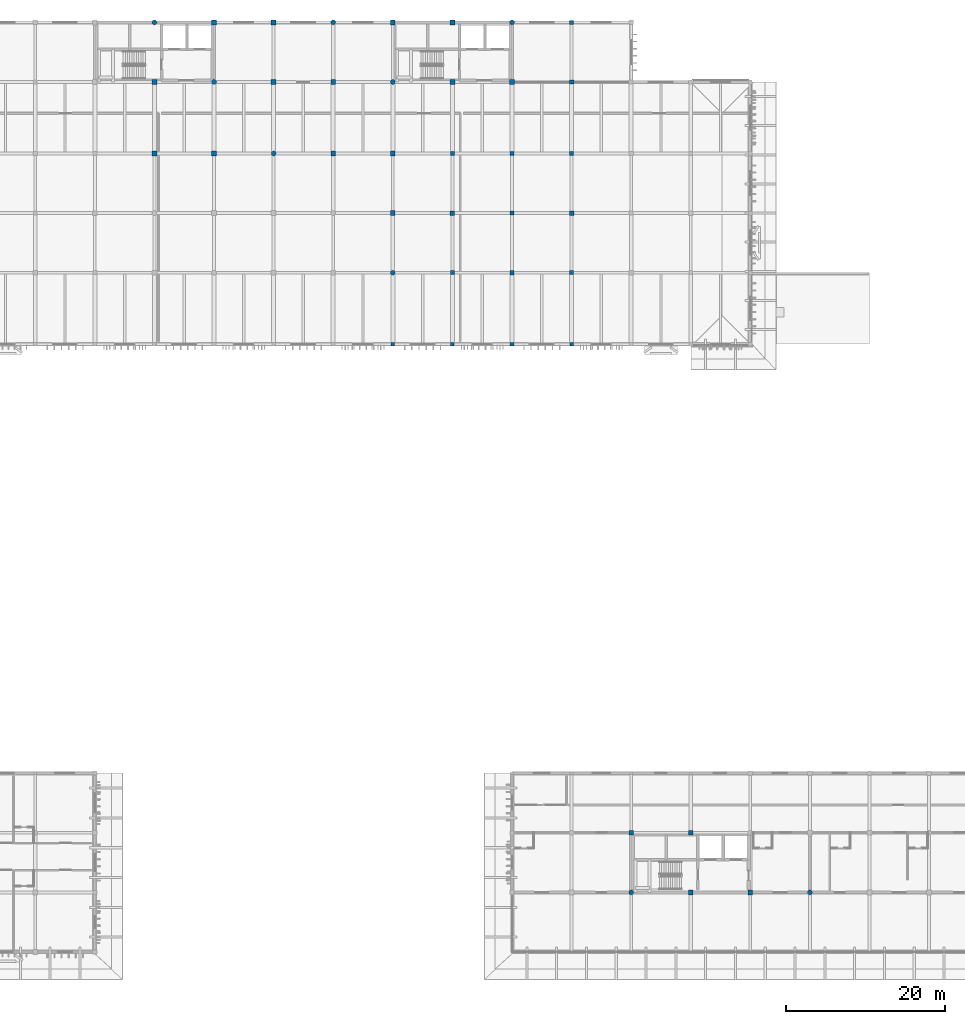
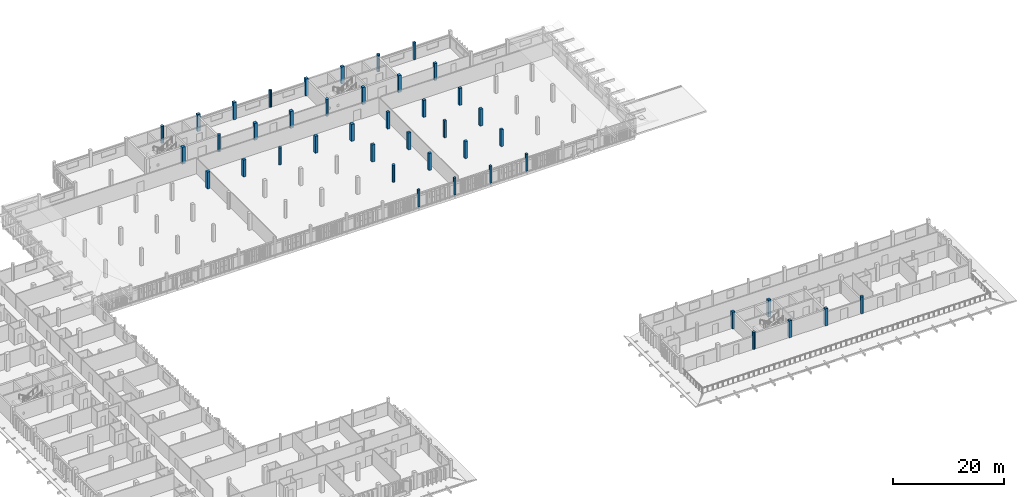
# One storey, part 5 of 43: 42 columns.
"""IFC4 building model written with IfcOpenShell, lengths in metres."""

from ifc_helpers import new_model, si_unit, direction, frame, origin, origin_2d, place, context, subcontext, project, spatial, rectangle, circle, extrude, material, material_profile, profile_set, type_object, element, save


model = new_model("IFC4")

# Units and contexts
model_context = context("Model", 3, precision=1e-05, world=origin(), true_north=direction((0.0, 1.0)))
body_context = subcontext(model_context, "Body", "Model", "MODEL_VIEW")
ifc_project = project(units=[si_unit("LENGTHUNIT", "METRE"), si_unit("AREAUNIT", "SQUARE_METRE"), si_unit("VOLUMEUNIT", "CUBIC_METRE"), si_unit("PLANEANGLEUNIT", "RADIAN"), si_unit("MASSUNIT", "GRAM", prefix="KILO")], contexts=[model_context])

# Site, building, storey
site_placement = place(None, origin())
site = spatial("IfcSite", under=ifc_project, at=site_placement, CompositionType="ELEMENT")
building_placement = place(site_placement, origin())
building = spatial("IfcBuilding", under=site, at=building_placement, Name="Dalvernix Boulevard General Hospital", CompositionType="ELEMENT")
storey_placement = place(building_placement, frame((0.0, 0.0, 14.10009765625)))
storey = spatial("IfcBuildingStorey", under=building, at=storey_placement, Name="L03", CompositionType="ELEMENT", Elevation=14.10009765625)

# Columns
ifc_material = material(Name="Concrete C40/50", Category="concrete")
ifc_material_profile_1 = material_profile(ifc_material, rectangle(XDim=0.60009765625, YDim=0.60009765625, at=origin_2d()), Name="RC 600x600")
ifc_profile_set_1 = profile_set([ifc_material_profile_1], Name="Concrete C40/50")
column_type_1 = type_object("IfcColumnType", Name="COL-C-07-E", PredefinedType="COLUMN", material=ifc_profile_set_1)
for number, where, z_axis, x_axis, name in (
    (1, (75.0, 117.0, 0.0), (0.0, 0.0, 1.0), (1.0, 0.0, 0.0), "L03 column 11R"),
    (2, (82.5, 117.0, 0.0), (0.0, 0.0, 1.0), (1.0, 0.0, 0.0), "L03 column 12R"),
    (3, (97.5, 117.0, 0.0), (0.0, 0.0, 1.0), (1.0, 0.0, 0.0), "L03 column 14R"),
    (4, (105.0, 117.0, 0.0), (0.0, 0.0, 1.0), (1.0, 0.0, 0.0), "L03 column 15R"),
    (5, (135.0, 7.5, 0.0), (0.0, 0.0, 1.0), (1.0, 0.0, 0.0), "L03 column 19B"),
    (6, (142.5, 7.5, 0.0), (0.0, 0.0, 1.0), (1.0, 0.0, 0.0), "L03 column 20B"),
):
    element("IfcColumn", number, at=place(storey_placement, frame(where, z_axis=z_axis, x_axis=x_axis)), inside=storey, type_object=column_type_1, Name=name, PredefinedType="COLUMN", context=body_context, shape_type="SweptSolid", body=[
        extrude(rectangle(XDim=0.60009765625, YDim=0.60009765625, at=origin_2d()), origin(), (0.0, 0.0, 1.0), 3.75),
    ])
ifc_material_profile_2 = material_profile(ifc_material, rectangle(XDim=0.60009765625, YDim=0.60009765625, at=origin_2d()), Name="RC 600x600")
ifc_profile_set_2 = profile_set([ifc_material_profile_2], Name="Concrete C40/50")
column_type_2 = type_object("IfcColumnType", Name="COL-C-07-I", PredefinedType="COLUMN", material=ifc_profile_set_2)
for number, where, z_axis, x_axis, name in (
    (7, (67.5, 100.5, 0.0), (0.0, 0.0, 1.0), (1.0, 0.0, 0.0), "L03 column 10P"),
    (8, (67.5, 109.5, 0.0), (0.0, 0.0, 1.0), (1.0, 0.0, 0.0), "L03 column 10Q"),
    (9, (75.0, 100.5, 0.0), (0.0, 0.0, 1.0), (1.0, 0.0, 0.0), "L03 column 11P"),
    (10, (82.5, 109.5, 0.0), (0.0, 0.0, 1.0), (1.0, 0.0, 0.0), "L03 column 12Q"),
    (11, (90.0, 100.5, 0.0), (0.0, 0.0, 1.0), (1.0, 0.0, 0.0), "L03 column 13P"),
    (12, (90.0, 109.5, 0.0), (0.0, 0.0, 1.0), (1.0, 0.0, 0.0), "L03 column 13Q"),
    (13, (97.5, 93.0, 0.0), (0.0, 0.0, 1.0), (1.0, 0.0, 0.0), "L03 column 14N"),
    (14, (97.5, 100.5, 0.0), (0.0, 0.0, 1.0), (1.0, 0.0, 0.0), "L03 column 14P"),
    (15, (105.0, 109.5, 0.0), (0.0, 0.0, 1.0), (1.0, 0.0, 0.0), "L03 column 15Q"),
    (16, (112.5, 109.5, 0.0), (0.0, 0.0, 1.0), (1.0, 0.0, 0.0), "L03 column 16Q"),
    (17, (127.5, 15.0, 0.0), (0.0, 0.0, 1.0), (1.0, 0.0, 0.0), "L03 column 18C"),
    (18, (135.0, 15.0, 0.0), (0.0, 0.0, 1.0), (1.0, 0.0, 0.0), "L03 column 19C"),
):
    element("IfcColumn", number, at=place(storey_placement, frame(where, z_axis=z_axis, x_axis=x_axis)), inside=storey, type_object=column_type_2, Name=name, PredefinedType="COLUMN", context=body_context, shape_type="SweptSolid", body=[
        extrude(rectangle(XDim=0.60009765625, YDim=0.60009765625, at=origin_2d()), origin(), (0.0, 0.0, 1.0), 3.75),
    ])
ifc_material_profile_3 = material_profile(ifc_material, rectangle(XDim=0.550048828125, YDim=0.550048828125, at=origin_2d()), Name="RC 550x550")
ifc_profile_set_3 = profile_set([ifc_material_profile_3], Name="Concrete C40/50")
column_type_3 = type_object("IfcColumnType", Name="COL-C-08-I", PredefinedType="COLUMN", material=ifc_profile_set_3)
for number, where, z_axis, x_axis, name in (
    (19, (105.0, 93.0, 0.0), (0.0, 0.0, 1.0), (1.0, 0.0, 0.0), "L03 column 15N"),
    (20, (112.5, 85.5, 0.0), (0.0, 0.0, 1.0), (1.0, 0.0, 0.0), "L03 column 16M"),
    (21, (112.5, 100.5, 0.0), (0.0, 0.0, 1.0), (1.0, 0.0, 0.0), "L03 column 16P"),
    (22, (120.0, 93.0, 0.0), (0.0, 0.0, 1.0), (1.0, 0.0, 0.0), "L03 column 17N"),
    (23, (120.0, 109.5, 0.0), (0.0, 0.0, 1.0), (1.0, 0.0, 0.0), "L03 column 17Q"),
):
    element("IfcColumn", number, at=place(storey_placement, frame(where, z_axis=z_axis, x_axis=x_axis)), inside=storey, type_object=column_type_3, Name=name, PredefinedType="COLUMN", context=body_context, shape_type="SweptSolid", body=[
        extrude(rectangle(XDim=0.550048828125, YDim=0.550048828125, at=origin_2d()), origin(), (0.0, 0.0, 1.0), 3.75),
    ])
ifc_material_profile_4 = material_profile(ifc_material, rectangle(XDim=0.5, YDim=0.5, at=origin_2d()), Name="RC 500x500")
ifc_profile_set_4 = profile_set([ifc_material_profile_4], Name="Concrete C40/50")
column_type_4 = type_object("IfcColumnType", Name="COL-C-09-E", PredefinedType="COLUMN", material=ifc_profile_set_4)
column_placement = place(storey_placement, frame((120.0, 117.0, 0.0), z_axis=(0.0, 0.0, 1.0), x_axis=(1.0, 0.0, 0.0)))
element("IfcColumn", 24, at=column_placement, inside=storey, type_object=column_type_4, Name="L03 column 17R", PredefinedType="COLUMN", context=body_context, shape_type="SweptSolid", body=[
    extrude(rectangle(XDim=0.5, YDim=0.5, at=origin_2d()), origin(), (0.0, 0.0, 1.0), 3.75),
])
ifc_material_profile_5 = material_profile(ifc_material, rectangle(XDim=0.5, YDim=0.5, at=origin_2d()), Name="RC 500x500")
ifc_profile_set_5 = profile_set([ifc_material_profile_5], Name="Concrete C40/50")
column_type_5 = type_object("IfcColumnType", Name="COL-C-09-I", PredefinedType="COLUMN", material=ifc_profile_set_5)
for number, where, z_axis, x_axis, name in (
    (25, (105.0, 85.5, 0.0), (0.0, 0.0, 1.0), (1.0, 0.0, 0.0), "L03 column 15M"),
    (26, (105.0, 100.5, 0.0), (0.0, 0.0, 1.0), (1.0, 0.0, 0.0), "L03 column 15P"),
    (27, (112.5, 93.0, 0.0), (0.0, 0.0, 1.0), (1.0, 0.0, 0.0), "L03 column 16N"),
    (28, (120.0, 85.5, 0.0), (0.0, 0.0, 1.0), (1.0, 0.0, 0.0), "L03 column 17M"),
    (29, (120.0, 100.5, 0.0), (0.0, 0.0, 1.0), (1.0, 0.0, 0.0), "L03 column 17P"),
):
    element("IfcColumn", number, at=place(storey_placement, frame(where, z_axis=z_axis, x_axis=x_axis)), inside=storey, type_object=column_type_5, Name=name, PredefinedType="COLUMN", context=body_context, shape_type="SweptSolid", body=[
        extrude(rectangle(XDim=0.5, YDim=0.5, at=origin_2d()), origin(), (0.0, 0.0, 1.0), 3.75),
    ])
ifc_material_profile_6 = material_profile(ifc_material, rectangle(XDim=0.449951171875, YDim=0.449951171875, at=origin_2d()), Name="RC 450x450")
ifc_profile_set_6 = profile_set([ifc_material_profile_6], Name="Concrete C40/50")
column_type_6 = type_object("IfcColumnType", Name="COL-C-10-E", PredefinedType="COLUMN", material=ifc_profile_set_6)
for number, where, z_axis, x_axis, name in (
    (30, (97.5, 76.5, 0.0), (0.0, 0.0, 1.0), (1.0, 0.0, 0.0), "L03 column 14L"),
    (31, (105.0, 76.5, 0.0), (0.0, 0.0, 1.0), (1.0, 0.0, 0.0), "L03 column 15L"),
    (32, (112.5, 76.5, 0.0), (0.0, 0.0, 1.0), (1.0, 0.0, 0.0), "L03 column 16L"),
    (33, (120.0, 76.5, 0.0), (0.0, 0.0, 1.0), (1.0, 0.0, 0.0), "L03 column 17L"),
):
    element("IfcColumn", number, at=place(storey_placement, frame(where, z_axis=z_axis, x_axis=x_axis)), inside=storey, type_object=column_type_6, Name=name, PredefinedType="COLUMN", context=body_context, shape_type="SweptSolid", body=[
        extrude(rectangle(XDim=0.449951171875, YDim=0.449951171875, at=origin_2d()), origin(), (0.0, 0.0, 1.0), 3.75),
    ])
ifc_material_profile_7 = material_profile(ifc_material, circle(Radius=0.300048828125, at=origin_2d()), Name="RC D600")
ifc_profile_set_7 = profile_set([ifc_material_profile_7], Name="Concrete C40/50")
column_type_7 = type_object("IfcColumnType", Name="COL-C-15-E", PredefinedType="COLUMN", material=ifc_profile_set_7)
for number, where, z_axis, x_axis, name in (
    (34, (67.5, 117.0, 0.0), (0.0, 0.0, 1.0), (1.0, 0.0, 0.0), "L03 column 10R"),
    (35, (90.0, 117.0, 0.0), (0.0, 0.0, 1.0), (1.0, 0.0, 0.0), "L03 column 13R"),
    (36, (112.5, 117.0, 0.0), (0.0, 0.0, 1.0), (1.0, 0.0, 0.0), "L03 column 16R"),
    (37, (127.5, 7.5, 0.0), (0.0, 0.0, 1.0), (1.0, 0.0, 0.0), "L03 column 18B"),
    (38, (150.0, 7.5, 0.0), (0.0, 0.0, 1.0), (1.0, 0.0, 0.0), "L03 column 21B"),
):
    element("IfcColumn", number, at=place(storey_placement, frame(where, z_axis=z_axis, x_axis=x_axis)), inside=storey, type_object=column_type_7, Name=name, PredefinedType="COLUMN", context=body_context, shape_type="SweptSolid", body=[
        extrude(circle(Radius=0.300048828125, at=origin_2d()), origin(), (0.0, 0.0, 1.0), 3.75),
    ])
ifc_material_profile_8 = material_profile(ifc_material, circle(Radius=0.300048828125, at=origin_2d()), Name="RC D600")
ifc_profile_set_8 = profile_set([ifc_material_profile_8], Name="Concrete C40/50")
column_type_8 = type_object("IfcColumnType", Name="COL-C-15-I", PredefinedType="COLUMN", material=ifc_profile_set_8)
for number, where, z_axis, x_axis, name in (
    (39, (75.0, 109.5, 0.0), (0.0, 0.0, 1.0), (1.0, 0.0, 0.0), "L03 column 11Q"),
    (40, (82.5, 100.5, 0.0), (0.0, 0.0, 1.0), (1.0, 0.0, 0.0), "L03 column 12P"),
    (41, (97.5, 85.5, 0.0), (0.0, 0.0, 1.0), (1.0, 0.0, 0.0), "L03 column 14M"),
    (42, (97.5, 109.5, 0.0), (0.0, 0.0, 1.0), (1.0, 0.0, 0.0), "L03 column 14Q"),
):
    element("IfcColumn", number, at=place(storey_placement, frame(where, z_axis=z_axis, x_axis=x_axis)), inside=storey, type_object=column_type_8, Name=name, PredefinedType="COLUMN", context=body_context, shape_type="SweptSolid", body=[
        extrude(circle(Radius=0.300048828125, at=origin_2d()), origin(), (0.0, 0.0, 1.0), 3.75),
    ])

save(model, "model.ifc")
